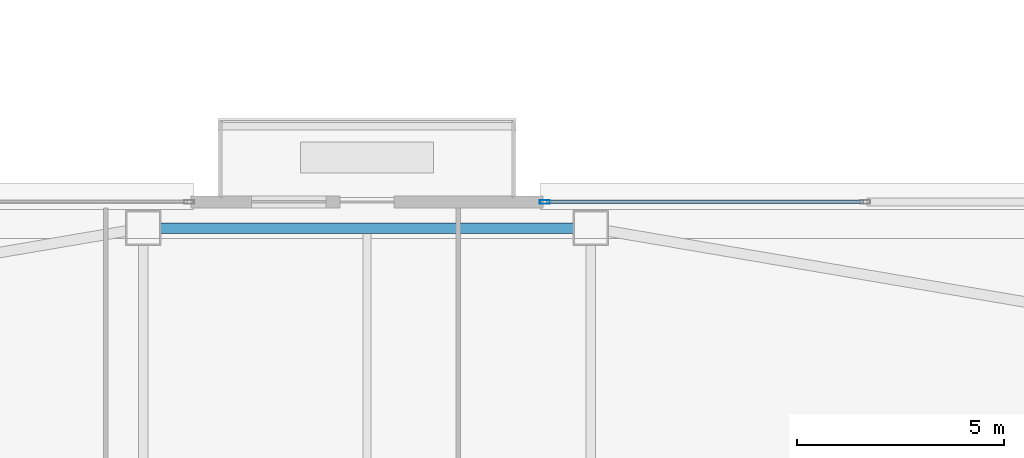
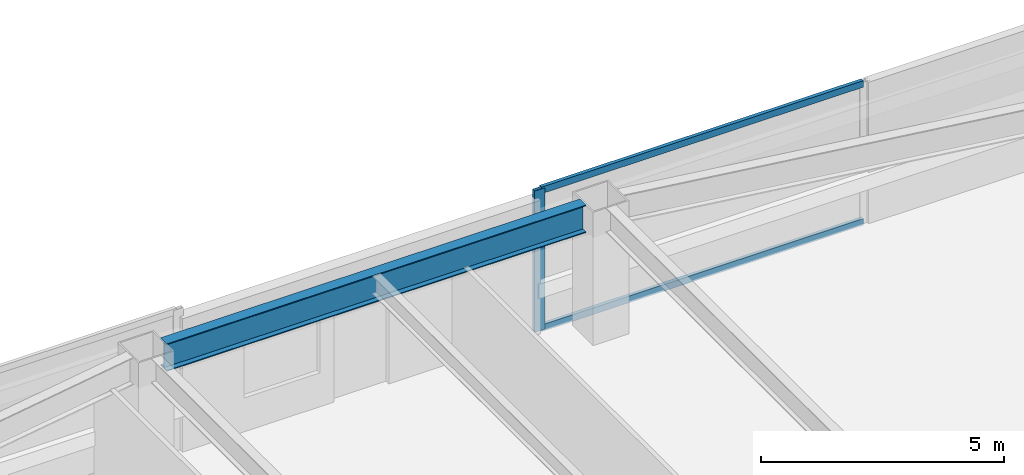
# One storey, part 16 of 48: 3 members, 1 beam, 1 element without a shape of its own.
"""IFC4 building model written with IfcOpenShell, lengths in metres."""

from ifc_helpers import new_model, si_unit, direction, frame, origin, origin_2d, place, context, subcontext, project, spatial, hollow_rectangle, i_section, extrude, material, material_profile, profile_set, type_object, element, aggregate, save


model = new_model("IFC4")

# Units and contexts
model_context = context("Model", 3, precision=1e-05, world=origin(), true_north=direction((0.0, 1.0)))
body_context = subcontext(model_context, "Body", "Model", "MODEL_VIEW")
ifc_project = project(units=[si_unit("LENGTHUNIT", "METRE"), si_unit("AREAUNIT", "SQUARE_METRE"), si_unit("VOLUMEUNIT", "CUBIC_METRE"), si_unit("PLANEANGLEUNIT", "RADIAN"), si_unit("MASSUNIT", "GRAM", prefix="KILO")], contexts=[model_context])

# Site, building, storey
site_placement = place(None, origin())
site = spatial("IfcSite", under=ifc_project, at=site_placement, CompositionType="ELEMENT")
building_placement = place(site_placement, origin())
building = spatial("IfcBuilding", under=site, at=building_placement, Name="Tashvorn Skyway Center", CompositionType="ELEMENT")
storey_placement = place(building_placement, frame((0.0, 0.0, 53.0)))
storey = spatial("IfcBuildingStorey", under=building, at=storey_placement, Name="L13", CompositionType="ELEMENT", Elevation=53.0)

# Beam
ifc_material_1 = material(Name="Steel ASTM A992 Grade 50", Category="steel")
ifc_material_profile_1 = material_profile(ifc_material_1, i_section(OverallWidth=0.256103515625, OverallDepth=0.693115234375, WebThickness=0.014404296875, FlangeThickness=0.023681640625, at=origin_2d()), Name="W27X114")
ifc_profile_set_1 = profile_set([ifc_material_profile_1], Name="Steel ASTM A992 Grade 50")
beam_type = type_object("IfcBeamType", Name="BM-SPANDREL-W27X114", PredefinedType="SPANDREL", material=ifc_profile_set_1)
beam_placement = place(storey_placement, frame((46.97998046875, 54.25, 3.00341796875), z_axis=(-1.0, 0.0, 0.0), x_axis=(0.0, -1.0, 0.0)))
element("IfcBeam", 1, at=beam_placement, inside=storey, type_object=beam_type, Name="Tower 1 L13 Spandrel Beam 08", PredefinedType="SPANDREL", context=body_context, shape_type="SweptSolid", body=[
    extrude(i_section(OverallWidth=0.256103515625, OverallDepth=0.693115234375, WebThickness=0.014404296875, FlangeThickness=0.023681640625, at=origin_2d()), origin(), (0.0, 0.0, 1.0), 9.9599609375),
])

# Curtain wall, members
ifc_material_2 = material(Name="Thermally broken bronze-anodized aluminium 6063-T6", Category="aluminium")
curtain_wall_type = type_object("IfcCurtainWallType", Name="CW-CW-Z1", PredefinedType="NOTDEFINED", material=ifc_material_2)
curtain_wall_placement = place(storey_placement, origin())
curtain_wall = element("IfcCurtainWall", 2, at=curtain_wall_placement, inside=storey, type_object=curtain_wall_type, Name="Tower 1 L13 North Curtain Wall R Glazing Group 1", PredefinedType="NOTDEFINED")
ifc_material_profile_2 = material_profile(ifc_material_2, hollow_rectangle(XDim=0.0849609375, YDim=0.239990234375, WallThickness=0.0048828125, at=origin_2d()), Name="ALU-MULL-85x240")
ifc_profile_set_2 = profile_set([ifc_material_profile_2], Name="Thermally broken bronze-anodized aluminium 6063-T6")
member_type_1 = type_object("IfcMemberType", Name="CWM-CW-Z1", PredefinedType="MULLION", material=ifc_profile_set_2)
member_1_placement = place(storey_placement, frame((46.29248046875, 54.8798828125, 0.0), z_axis=(0.0, 0.0, 1.0), x_axis=(0.0, 1.0, 0.0)))
member_1 = element("IfcMember", 3, at=member_1_placement, type_object=member_type_1, Name="CW-Z1 mullion 1", PredefinedType="MULLION", context=body_context, shape_type="SweptSolid", body=[
    extrude(hollow_rectangle(XDim=0.0849609375, YDim=0.239990234375, WallThickness=0.0048828125, at=origin_2d()), origin(), (0.0, 0.0, 1.0), 3.550048828125),
])
ifc_material_profile_3 = material_profile(ifc_material_2, hollow_rectangle(XDim=0.0849609375, YDim=0.1650390625, WallThickness=0.0048828125, at=origin_2d()), Name="ALU-TRAN-85x165")
ifc_profile_set_3 = profile_set([ifc_material_profile_3], Name="Thermally broken bronze-anodized aluminium 6063-T6")
member_type_2 = type_object("IfcMemberType", Name="CWT-CW-Z1", PredefinedType="USERDEFINED", material=ifc_profile_set_3)
member_2_placement = place(storey_placement, frame((46.3349609375, 54.8798828125, 0.04248046875), z_axis=(1.0, 0.0, 0.0), x_axis=(0.0, 1.0, 0.0)))
member_2 = element("IfcMember", 4, at=member_2_placement, type_object=member_type_2, Name="CW-Z1 transom 1.1", ObjectType="TRANSOM", PredefinedType="USERDEFINED", context=body_context, shape_type="SweptSolid", body=[
    extrude(hollow_rectangle(XDim=0.0849609375, YDim=0.1650390625, WallThickness=0.0048828125, at=origin_2d()), origin(), (0.0, 0.0, 1.0), 7.64501953125),
])
member_3_placement = place(storey_placement, frame((46.3349609375, 54.8798828125, 3.507568359375), z_axis=(1.0, 0.0, 0.0), x_axis=(0.0, 1.0, 0.0)))
member_3 = element("IfcMember", 5, at=member_3_placement, type_object=member_type_2, Name="CW-Z1 transom 1.2", ObjectType="TRANSOM", PredefinedType="USERDEFINED", context=body_context, shape_type="SweptSolid", body=[
    extrude(hollow_rectangle(XDim=0.0849609375, YDim=0.1650390625, WallThickness=0.0048828125, at=origin_2d()), origin(), (0.0, 0.0, 1.0), 7.64501953125),
])
aggregate(curtain_wall, [member_1, member_2, member_3])

save(model, "model.ifc")
